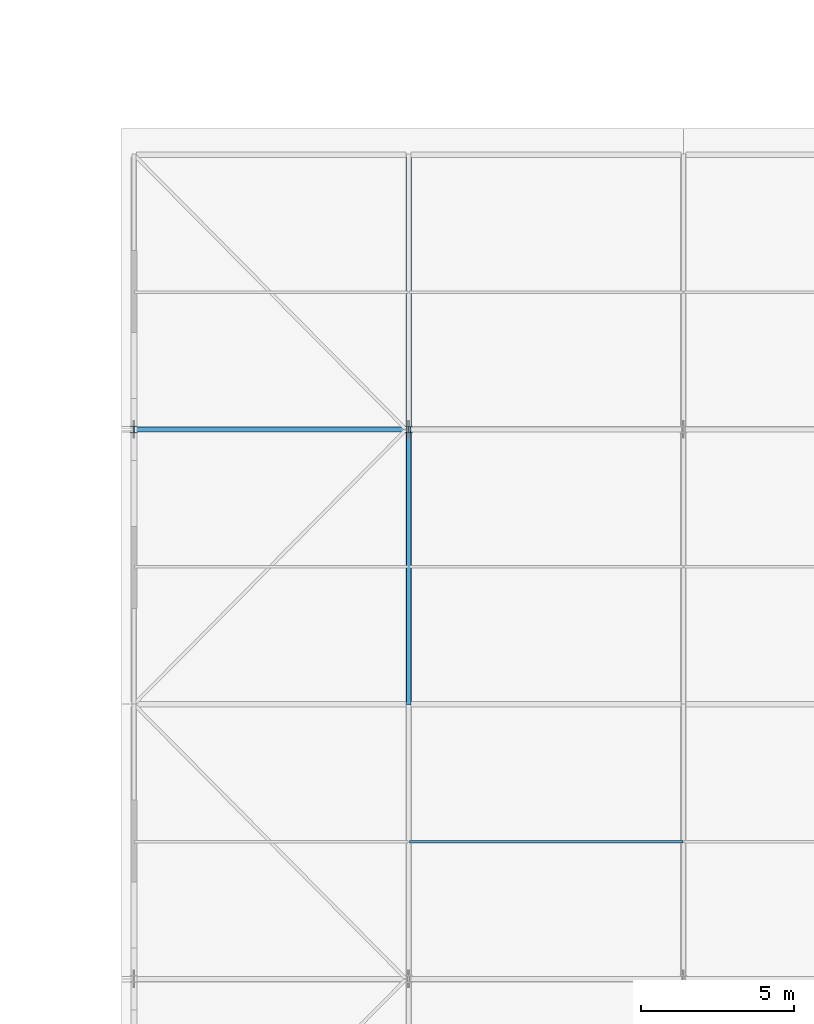
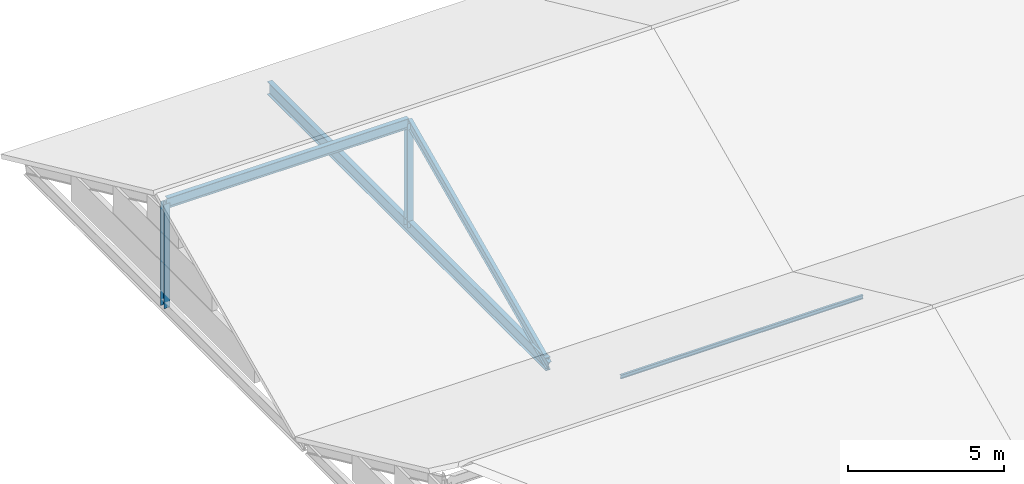
# One storey, part 82 of 163: 5 members, 1 beam.
"""IFC4 building model written with IfcOpenShell, lengths in metres."""

from ifc_helpers import new_model, si_unit, direction, frame, origin, origin_2d, place, context, subcontext, project, spatial, i_section, extrude, material, material_profile, profile_set, type_object, element, save


model = new_model("IFC4")

# Units and contexts
model_context = context("Model", 3, precision=1e-05, world=origin(), true_north=direction((0.0, 1.0)))
body_context = subcontext(model_context, "Body", "Model", "MODEL_VIEW")
ifc_project = project(units=[si_unit("LENGTHUNIT", "METRE"), si_unit("AREAUNIT", "SQUARE_METRE"), si_unit("VOLUMEUNIT", "CUBIC_METRE"), si_unit("PLANEANGLEUNIT", "RADIAN"), si_unit("MASSUNIT", "GRAM", prefix="KILO")], contexts=[model_context])

# Site, building, storey
site_placement = place(None, origin())
site = spatial("IfcSite", under=ifc_project, at=site_placement, CompositionType="ELEMENT")
building_placement = place(site_placement, origin())
building = spatial("IfcBuilding", under=site, at=building_placement, Name="Tharagai Park Tramway Depot", CompositionType="ELEMENT")
storey_placement = place(building_placement, frame((0.0, 0.0, 8.39990234375)))
storey = spatial("IfcBuildingStorey", under=building, at=storey_placement, Name="L02", CompositionType="ELEMENT", Elevation=8.39990234375)

# Beam
ifc_material_1 = material(Name="Steel E350", Category="steel")
ifc_material_profile_1 = material_profile(ifc_material_1, i_section(OverallWidth=0.179931640625, OverallDepth=0.5, WebThickness=0.01025390625, FlangeThickness=0.01708984375, FilletRadius=0.01708984375, at=origin_2d()), Name="ISMB 500")
ifc_profile_set_1 = profile_set([ifc_material_profile_1], Name="Steel E350")
beam_type = type_object("IfcBeamType", Name="BM-18", PredefinedType="BEAM", material=ifc_profile_set_1)
beam_placement = place(storey_placement, frame((171.0, 117.080078125, -0.5), z_axis=(0.0, 1.0, 0.0), x_axis=(-1.0, 0.0, 0.0)))
element("IfcBeam", 1, at=beam_placement, inside=storey, type_object=beam_type, Name="V3B2 Gable Tie Girder BM-18", PredefinedType="BEAM", context=body_context, shape_type="SweptSolid", body=[
    extrude(i_section(OverallWidth=0.179931640625, OverallDepth=0.5, WebThickness=0.01025390625, FlangeThickness=0.01708984375, FilletRadius=0.01708984375, at=origin_2d()), origin(), (0.0, 0.0, 1.0), 17.83984375),
])

# Members
ifc_material_profile_2 = material_profile(ifc_material_1, i_section(OverallWidth=0.22509765625, OverallDepth=0.22509765625, WebThickness=0.008544921875, FlangeThickness=0.009033203125, FilletRadius=0.010009765625, at=origin_2d()), Name="ISHB 225")
ifc_profile_set_2 = profile_set([ifc_material_profile_2], Name="Steel E350")
member_type_1 = type_object("IfcMemberType", Name="BR-02", PredefinedType="BRACE", material=ifc_profile_set_2)
for number, where, z_axis, x_axis, name in (
    (2, (162.0, 126.0, -0.5), (0.0, 0.0, 1.0), (1.0, 0.0, 0.0), "V3B2 Gable King Strut BR-02"),
    (3, (171.0, 126.0, -0.5), (0.0, 0.0, 1.0), (1.0, 0.0, 0.0), "V3B2 Gable King Strut BR-02"),
):
    element("IfcMember", number, at=place(storey_placement, frame(where, z_axis=z_axis, x_axis=x_axis)), inside=storey, type_object=member_type_1, Name=name, PredefinedType="BRACE", context=body_context, shape_type="SweptSolid", body=[
        extrude(i_section(OverallWidth=0.22509765625, OverallDepth=0.22509765625, WebThickness=0.008544921875, FlangeThickness=0.009033203125, FilletRadius=0.010009765625, at=origin_2d()), origin(), (0.0, 0.0, 1.0), 4.06982421875),
    ])
ifc_material_2 = material(Name="Steel E250", Category="steel")
ifc_material_profile_3 = material_profile(ifc_material_2, i_section(OverallWidth=0.080078125, OverallDepth=0.14990234375, WebThickness=0.0048828125, FlangeThickness=0.007568359375, FilletRadius=0.009033203125, at=origin_2d()), Name="ISMB 150")
ifc_profile_set_3 = profile_set([ifc_material_profile_3], Name="Steel E250")
member_type_2 = type_object("IfcMemberType", Name="PR-05", PredefinedType="PURLIN", material=ifc_profile_set_3)
member_1_placement = place(storey_placement, frame((171.02001953125, 112.5, 1.77392578125), z_axis=(1.0, 0.0, 0.0), x_axis=(0.0, 1.0, 0.0)))
element("IfcMember", 4, at=member_1_placement, inside=storey, type_object=member_type_2, Name="V3B1 Roof Purlin PR-05", PredefinedType="PURLIN", context=body_context, shape_type="SweptSolid", body=[
    extrude(i_section(OverallWidth=0.080078125, OverallDepth=0.14990234375, WebThickness=0.0048828125, FlangeThickness=0.007568359375, FilletRadius=0.009033203125, at=origin_2d()), origin(), (0.0, 0.0, 1.0), 8.9599609375),
])
ifc_material_profile_4 = material_profile(ifc_material_1, i_section(OverallWidth=0.139892578125, OverallDepth=0.35009765625, WebThickness=0.008056640625, FlangeThickness=0.01416015625, FilletRadius=0.013916015625, at=origin_2d()), Name="ISMB 350")
ifc_profile_set_4 = profile_set([ifc_material_profile_4], Name="Steel E350")
member_type_3 = type_object("IfcMemberType", Name="RF-01", PredefinedType="RAFTER", material=ifc_profile_set_4)
member_2_placement = place(storey_placement, frame((171.0, 117.050048828125, -0.53173828125), z_axis=(0.0, 0.909083998875, 0.416612869448), x_axis=(-1.0, 0.0, 0.0)))
element("IfcMember", 5, at=member_2_placement, inside=storey, type_object=member_type_3, Name="V3B2 Pitched Rafter RF-01 South", PredefinedType="RAFTER", context=body_context, shape_type="SweptSolid", body=[
    extrude(i_section(OverallWidth=0.139892578125, OverallDepth=0.35009765625, WebThickness=0.008056640625, FlangeThickness=0.01416015625, FilletRadius=0.013916015625, at=origin_2d()), origin(), (0.0, 0.0, 1.0), 9.844970703125),
])
ifc_material_profile_5 = material_profile(ifc_material_1, i_section(OverallWidth=0.1650390625, OverallDepth=0.39990234375, WebThickness=0.008056640625, FlangeThickness=0.012451171875, FilletRadius=0.013916015625, at=origin_2d()), Name="ISLB 400")
ifc_profile_set_5 = profile_set([ifc_material_profile_5], Name="Steel E350")
member_type_4 = type_object("IfcMemberType", Name="TC-04", PredefinedType="CHORD", material=ifc_profile_set_5)
member_3_placement = place(storey_placement, frame((162.0400390625, 126.0, 3.544921875), z_axis=(1.0, 0.0, 0.0), x_axis=(0.0, 1.0, 0.0)))
element("IfcMember", 6, at=member_3_placement, inside=storey, type_object=member_type_4, Name="V3B2 Roof Ridge Chord TC-04", PredefinedType="CHORD", context=body_context, shape_type="SweptSolid", body=[
    extrude(i_section(OverallWidth=0.1650390625, OverallDepth=0.39990234375, WebThickness=0.008056640625, FlangeThickness=0.012451171875, FilletRadius=0.013916015625, at=origin_2d()), origin(), (0.0, 0.0, 1.0), 8.919921875),
])

save(model, "model.ifc")
